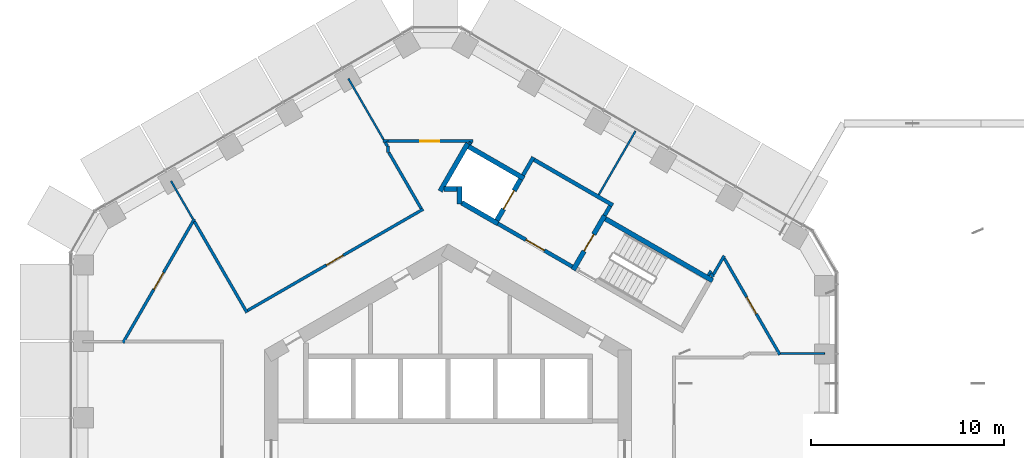
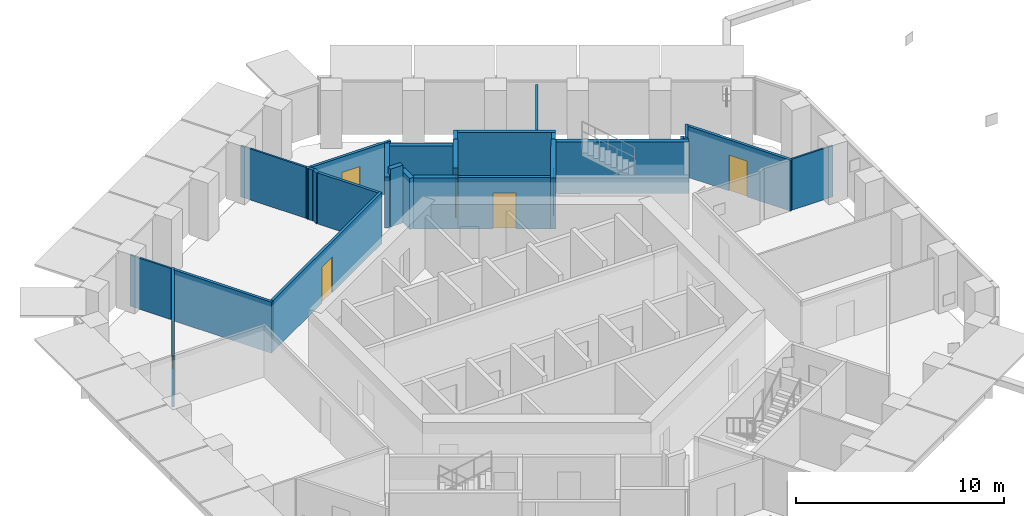
# One storey, part 15 of 21: 29 walls, 7 doors, 7 openings.
"""IFC4 building model written with IfcOpenShell, lengths in metres."""

from ifc_helpers import new_model, si_unit, direction, frame, frame_2d, origin, place, context, subcontext, project, spatial, rectangle, extrude, material, layer, layer_set, type_object, element, fill, save


model = new_model("IFC4")

# Units and contexts
model_context = context("Model", 3, precision=1e-05, world=origin(), true_north=direction((0.0, 1.0)))
body_context = subcontext(model_context, "Body", "Model", "MODEL_VIEW")
ifc_project = project(units=[si_unit("LENGTHUNIT", "METRE"), si_unit("AREAUNIT", "SQUARE_METRE"), si_unit("VOLUMEUNIT", "CUBIC_METRE"), si_unit("PLANEANGLEUNIT", "RADIAN"), si_unit("MASSUNIT", "GRAM", prefix="KILO")], contexts=[model_context])

# Site, building, storey
site_placement = place(None, origin())
site = spatial("IfcSite", under=ifc_project, at=site_placement, CompositionType="ELEMENT")
building_placement = place(site_placement, origin())
building = spatial("IfcBuilding", under=site, at=building_placement, Name="Ayvan Gate Tower", CompositionType="ELEMENT")
storey_placement = place(building_placement, frame((0.0, 0.0, 117.10009765625)))
storey = spatial("IfcBuildingStorey", under=building, at=storey_placement, Name="L31", CompositionType="ELEMENT", Elevation=117.10009765625)

# Wall, opening, door
ifc_material_1 = material(Name="Plasterboard on steel stud", Category="steel")
ifc_layer_1 = layer(ifc_material_1, 0.14990234375)
ifc_layer_set_1 = layer_set([ifc_layer_1], Name="Plasterboard on steel stud")
wall_type_1 = type_object("IfcWallType", Name="WT-CORR-150", PredefinedType="PARTITIONING", material=ifc_layer_set_1)
wall_1_placement = place(storey_placement, frame((-16.8212890625, 5.851318359375, 0.0), z_axis=(0.0, 0.0, 1.0), x_axis=(0.500000483486, 0.866025124644, 0.0)))
wall_1 = element("IfcWall", 1, at=wall_1_placement, inside=storey, type_object=wall_type_1, Name="IW-L31-001", PredefinedType="PARTITIONING", context=body_context, shape_type="SweptSolid", body=[
    extrude(rectangle(XDim=7.3984375, YDim=0.14990234375, at=frame_2d((3.69921875, 0.0))), origin(), (0.0, 0.0, 1.0), 3.0),
])
opening_1_placement = place(wall_1_placement, frame((3.19921875, 0.0, 0.0)))
opening_1 = element("IfcOpeningElement", 2, at=opening_1_placement, cuts=wall_1, Name="Opening L31-D21", PredefinedType="OPENING", context=body_context, shape_type="SweptSolid", body=[
    extrude(rectangle(XDim=1.0, YDim=2.10009765625, at=frame_2d((0.5, 1.050048828125))), frame((0.0, 0.0849609375, 0.0), z_axis=(0.0, -1.0, 0.0), x_axis=(1.0, 0.0, 0.0)), (0.0, 0.0, 1.0), 0.169921875),
])
ifc_material_2 = material(Name="Timber door leaf", Category="wood")
door_type_1 = type_object("IfcDoorType", Name="DT-1000", OperationType="NOTDEFINED", PredefinedType="DOOR", material=ifc_material_2)
door_1_placement = place(opening_1_placement, origin())
door_1 = element("IfcDoor", 3, at=door_1_placement, inside=storey, type_object=door_type_1, Name="ID-L31-021", OperationType="SINGLE_SWING_RIGHT", OverallHeight=2.10009765625, OverallWidth=1.0, PredefinedType="DOOR", context=body_context, shape_type="SweptSolid", body=[
    extrude(rectangle(XDim=1.0, YDim=2.10009765625, at=frame_2d((0.5, 1.050048828125))), frame((0.0, 0.02490234375, 0.0), z_axis=(0.0, -1.0, 0.0), x_axis=(1.0, 0.0, 0.0)), (0.0, 0.0, 1.0), 0.050048828125),
])
fill(opening_1, door_1)

# Wall
wall_2_placement = place(storey_placement, frame((-13.1220703125, 12.128662109375, 0.0), z_axis=(0.0, 0.0, 1.0), x_axis=(0.500015120401, -0.866016673841, 0.0)))
element("IfcWall", 4, at=wall_2_placement, inside=storey, type_object=wall_type_1, Name="IW-L31-009", PredefinedType="PARTITIONING", context=body_context, shape_type="SweptSolid", body=[
    extrude(rectangle(XDim=5.439697265625, YDim=0.14990234375, at=frame_2d((2.7197265625, 0.0))), origin(), (0.0, 0.0, 1.0), 3.0),
])

# Wall, opening, door
wall_3_placement = place(storey_placement, frame((-10.37451171875, 7.520263671875, 0.0), z_axis=(0.0, 0.0, 1.0), x_axis=(0.866027982206, 0.499995534017, 0.0)))
wall_3 = element("IfcWall", 5, at=wall_3_placement, inside=storey, type_object=wall_type_1, Name="IW-L31-013", PredefinedType="PARTITIONING", context=body_context, shape_type="SweptSolid", body=[
    extrude(rectangle(XDim=10.4990234375, YDim=0.14990234375, at=frame_2d((5.24951171875, 0.0))), origin(), (0.0, 0.0, 1.0), 3.0),
])
opening_2_placement = place(wall_3_placement, frame((4.712158203125, 0.0, 0.0)))
opening_2 = element("IfcOpeningElement", 6, at=opening_2_placement, cuts=wall_3, Name="Opening L31-D29", PredefinedType="OPENING", context=body_context, shape_type="SweptSolid", body=[
    extrude(rectangle(XDim=1.0, YDim=2.10009765625, at=frame_2d((0.5, 1.050048828125))), frame((0.0, 0.0849609375, 0.0), z_axis=(0.0, -1.0, 0.0), x_axis=(1.0, 0.0, 0.0)), (0.0, 0.0, 1.0), 0.169921875),
])
door_2_placement = place(opening_2_placement, origin())
door_2 = element("IfcDoor", 7, at=door_2_placement, inside=storey, type_object=door_type_1, Name="ID-L31-029", OperationType="SINGLE_SWING_RIGHT", OverallHeight=2.10009765625, OverallWidth=1.0, PredefinedType="DOOR", context=body_context, shape_type="SweptSolid", body=[
    extrude(rectangle(XDim=1.0, YDim=2.10009765625, at=frame_2d((0.5, 1.050048828125))), frame((0.0, 0.02490234375, 0.0), z_axis=(0.0, -1.0, 0.0), x_axis=(1.0, 0.0, 0.0)), (0.0, 0.0, 1.0), 0.050048828125),
])
fill(opening_2, door_2)

# Walls
wall_4_placement = place(storey_placement, frame((-3.362548828125, 16.293212890625, 0.0), z_axis=(0.0, 0.0, 1.0), x_axis=(1.0, 0.0, 0.0)))
element("IfcWall", 8, at=wall_4_placement, inside=storey, type_object=wall_type_1, Name="IW-L31-035", PredefinedType="PARTITIONING", context=body_context, shape_type="SweptSolid", body=[
    extrude(rectangle(XDim=0.262451171875, YDim=0.14990234375, at=frame_2d((0.13134765625, 0.0))), origin(), (0.0, 0.0, 1.0), 3.0),
])
wall_5_placement = place(storey_placement, frame((-3.10009765625, 15.693603515625, 0.0), z_axis=(0.0, 0.0, 1.0), x_axis=(0.0, 1.0, 0.0)))
element("IfcWall", 9, at=wall_5_placement, inside=storey, type_object=wall_type_1, Name="IW-L31-036", PredefinedType="PARTITIONING", context=body_context, shape_type="SweptSolid", body=[
    extrude(rectangle(XDim=0.35009765625, YDim=0.14990234375, at=frame_2d((0.175048828125, 0.0))), origin(), (0.0, 0.0, 1.0), 3.0),
])
wall_6_placement = place(storey_placement, frame((-3.137451171875, 16.033447265625, 0.0), z_axis=(0.0, 0.0, 1.0), x_axis=(-0.500223362819, 0.865896406789, 0.0)))
element("IfcWall", 10, at=wall_6_placement, inside=storey, type_object=wall_type_1, Name="IW-L31-037", PredefinedType="PARTITIONING", context=body_context, shape_type="SweptSolid", body=[
    extrude(rectangle(XDim=0.22509765625, YDim=0.14990234375, at=frame_2d((0.112548828125, 0.0))), origin(), (0.0, 0.0, 1.0), 3.0),
])

# Wall, opening, door
wall_7_placement = place(storey_placement, frame((-3.10009765625, 16.294189453125, 0.0), z_axis=(0.0, 0.0, 1.0), x_axis=(1.0, 0.0, 0.0)))
wall_7 = element("IfcWall", 11, at=wall_7_placement, inside=storey, type_object=wall_type_1, Name="IW-L31-038", PredefinedType="PARTITIONING", context=body_context, shape_type="SweptSolid", body=[
    extrude(rectangle(XDim=4.38427734375, YDim=0.14990234375, at=frame_2d((2.192138671875, 0.0))), origin(), (0.0, 0.0, 1.0), 3.0),
])
opening_3_placement = place(wall_7_placement, frame((1.654541015625, 0.0, 0.0)))
opening_3 = element("IfcOpeningElement", 12, at=opening_3_placement, cuts=wall_7, Name="Opening L31-D20", PredefinedType="OPENING", context=body_context, shape_type="SweptSolid", body=[
    extrude(rectangle(XDim=1.0, YDim=2.10009765625, at=frame_2d((0.5, 1.050048828125))), frame((0.0, 0.0849609375, 0.0), z_axis=(0.0, -1.0, 0.0), x_axis=(1.0, 0.0, 0.0)), (0.0, 0.0, 1.0), 0.169921875),
])
door_3_placement = place(opening_3_placement, origin())
door_3 = element("IfcDoor", 13, at=door_3_placement, inside=storey, type_object=door_type_1, Name="ID-L31-020", OperationType="SINGLE_SWING_LEFT", OverallHeight=2.10009765625, OverallWidth=1.0, PredefinedType="DOOR", context=body_context, shape_type="SweptSolid", body=[
    extrude(rectangle(XDim=1.0, YDim=2.10009765625, at=frame_2d((0.5, 1.050048828125))), frame((0.0, 0.02490234375, 0.0), z_axis=(0.0, -1.0, 0.0), x_axis=(1.0, 0.0, 0.0)), (0.0, 0.0, 1.0), 0.050048828125),
])
fill(opening_3, door_3)

# Walls
wall_8_placement = place(storey_placement, frame((-1.384521484375, 12.797119140625, 0.0), z_axis=(0.0, 0.0, 1.0), x_axis=(-0.499980633826, 0.866036584562, 0.0)))
element("IfcWall", 14, at=wall_8_placement, inside=storey, type_object=wall_type_1, Name="IW-L31-043", PredefinedType="PARTITIONING", context=body_context, shape_type="SweptSolid", body=[
    extrude(rectangle(XDim=3.356201171875, YDim=0.14990234375, at=frame_2d((1.67822265625, 0.0))), origin(), (0.0, 0.0, 1.0), 3.0),
])
wall_9_placement = place(storey_placement, frame((1.171630859375, 16.229248046875, 0.0), z_axis=(0.0, 0.0, 1.0), x_axis=(-0.499539972301, -0.866290838041, 0.0)))
element("IfcWall", 15, at=wall_9_placement, inside=storey, type_object=wall_type_1, Name="IW-L31-055", PredefinedType="PARTITIONING", context=body_context, shape_type="SweptSolid", body=[
    extrude(rectangle(XDim=0.11572265625, YDim=0.14990234375, at=frame_2d((0.057861328125, 0.0))), origin(), (0.0, 0.0, 1.0), 3.0),
])
wall_10_placement = place(storey_placement, frame((13.474609375, 9.3388671875, 0.0), z_axis=(0.0, 0.0, 1.0), x_axis=(0.500262741071, 0.865873657005, 0.0)))
element("IfcWall", 16, at=wall_10_placement, inside=storey, type_object=wall_type_1, Name="IW-L31-091", PredefinedType="PARTITIONING", context=body_context, shape_type="SweptSolid", body=[
    extrude(rectangle(XDim=0.273681640625, YDim=0.14990234375, at=frame_2d((0.13671875, 0.0))), origin(), (0.0, 0.0, 1.0), 3.0),
])
wall_11_placement = place(storey_placement, frame((13.611572265625, 9.446044921875, 0.0), z_axis=(0.0, 0.0, 1.0), x_axis=(0.500119048086, -0.865956660429, 0.0)))
element("IfcWall", 17, at=wall_11_placement, inside=storey, type_object=wall_type_1, Name="IW-L31-092", PredefinedType="PARTITIONING", context=body_context, shape_type="SweptSolid", body=[
    extrude(rectangle(XDim=0.23095703125, YDim=0.14990234375, at=frame_2d((0.115478515625, 0.0))), origin(), (0.0, 0.0, 1.0), 3.0),
])
wall_12_placement = place(storey_placement, frame((13.72705078125, 9.3759765625, 0.0), z_axis=(0.0, 0.0, 1.0), x_axis=(0.500051640322, 0.865995587178, 0.0)))
element("IfcWall", 18, at=wall_12_placement, inside=storey, type_object=wall_type_1, Name="IW-L31-094", PredefinedType="PARTITIONING", context=body_context, shape_type="SweptSolid", body=[
    extrude(rectangle(XDim=1.13427734375, YDim=0.14990234375, at=frame_2d((0.567138671875, 0.0))), origin(), (0.0, 0.0, 1.0), 3.0),
])

# Wall, opening, door
wall_13_placement = place(storey_placement, frame((14.294189453125, 10.228271484375, 0.0), z_axis=(0.0, 0.0, 1.0), x_axis=(0.499996112969, -0.866027647951, 0.0)))
wall_13 = element("IfcWall", 19, at=wall_13_placement, inside=storey, type_object=wall_type_1, Name="IW-L31-095", PredefinedType="PARTITIONING", context=body_context, shape_type="SweptSolid", body=[
    extrude(rectangle(XDim=5.76611328125, YDim=0.14990234375, at=frame_2d((2.883056640625, 0.0))), origin(), (0.0, 0.0, 1.0), 3.0),
])
opening_4_placement = place(wall_13_placement, frame((2.328369140625, 0.0, 0.0)))
opening_4 = element("IfcOpeningElement", 20, at=opening_4_placement, cuts=wall_13, Name="Opening L31-D19", PredefinedType="OPENING", context=body_context, shape_type="SweptSolid", body=[
    extrude(rectangle(XDim=1.0, YDim=2.10009765625, at=frame_2d((0.5, 1.050048828125))), frame((0.0, 0.0849609375, 0.0), z_axis=(0.0, -1.0, 0.0), x_axis=(1.0, 0.0, 0.0)), (0.0, 0.0, 1.0), 0.169921875),
])
door_4_placement = place(opening_4_placement, origin())
door_4 = element("IfcDoor", 21, at=door_4_placement, inside=storey, type_object=door_type_1, Name="ID-L31-019", OperationType="SINGLE_SWING_RIGHT", OverallHeight=2.10009765625, OverallWidth=1.0, PredefinedType="DOOR", context=body_context, shape_type="SweptSolid", body=[
    extrude(rectangle(XDim=1.0, YDim=2.10009765625, at=frame_2d((0.5, 1.050048828125))), frame((0.0, 0.02490234375, 0.0), z_axis=(0.0, -1.0, 0.0), x_axis=(1.0, 0.0, 0.0)), (0.0, 0.0, 1.0), 0.050048828125),
])
fill(opening_4, door_4)

# Walls
ifc_layer_2 = layer(ifc_material_1, 0.10009765625)
ifc_layer_set_2 = layer_set([ifc_layer_2], Name="Plasterboard on steel stud")
wall_type_2 = type_object("IfcWallType", Name="WT-PART-100", PredefinedType="PARTITIONING", material=ifc_layer_set_2)
wall_14_placement = place(storey_placement, frame((-14.33251953125, 14.22509765625, 0.0), z_axis=(0.0, 0.0, 1.0), x_axis=(0.500035767157, -0.866004752622, 0.0)))
element("IfcWall", 22, at=wall_14_placement, inside=storey, type_object=wall_type_2, Name="IW-L31-004", PredefinedType="PARTITIONING", context=body_context, shape_type="SweptSolid", body=[
    extrude(rectangle(XDim=2.270751953125, YDim=0.10009765625, at=frame_2d((1.13525390625, 0.0))), origin(), (0.0, 0.0, 1.0), 3.0),
])
wall_15_placement = place(storey_placement, frame((-3.324951171875, 16.358154296875, 0.0), z_axis=(0.0, 0.0, 1.0), x_axis=(-0.500009496996, 0.866019920622, 0.0)))
element("IfcWall", 23, at=wall_15_placement, inside=storey, type_object=wall_type_2, Name="IW-L31-034", PredefinedType="PARTITIONING", context=body_context, shape_type="SweptSolid", body=[
    extrude(rectangle(XDim=3.65673828125, YDim=0.10009765625, at=frame_2d((1.828369140625, 0.0))), origin(), (0.0, 0.0, 1.0), 3.0),
])
wall_16_placement = place(storey_placement, frame((7.800048828125, 13.510009765625, 0.0), z_axis=(0.0, 0.0, 1.0), x_axis=(0.499988487492, 0.866032050432, 0.0)))
element("IfcWall", 24, at=wall_16_placement, inside=storey, type_object=wall_type_2, Name="IW-L31-080", PredefinedType="PARTITIONING", context=body_context, shape_type="SweptSolid", body=[
    extrude(rectangle(XDim=3.81298828125, YDim=0.10009765625, at=frame_2d((1.906494140625, 0.0))), origin(), (0.0, 0.0, 1.0), 3.0),
])
wall_17_placement = place(storey_placement, frame((17.214599609375, 5.299560546875, 0.0), z_axis=(0.0, 0.0, 1.0), x_axis=(1.0, 0.0, 0.0)))
element("IfcWall", 25, at=wall_17_placement, inside=storey, type_object=wall_type_2, Name="IW-L31-099", PredefinedType="PARTITIONING", context=body_context, shape_type="SweptSolid", body=[
    extrude(rectangle(XDim=2.27099609375, YDim=0.10009765625, at=frame_2d((1.135498046875, 0.0))), origin(), (0.0, 0.0, 1.0), 3.0),
])
ifc_layer_3 = layer(ifc_material_1, 0.199951171875)
ifc_layer_set_3 = layer_set([ifc_layer_3], Name="Plasterboard on steel stud")
wall_type_3 = type_object("IfcWallType", Name="WT-RATED-200", PredefinedType="PARTITIONING", material=ifc_layer_set_3)
wall_18_placement = place(storey_placement, frame((3.885009765625, 14.52880859375, 0.0), z_axis=(0.0, 0.0, 1.0), x_axis=(0.499997628298, 0.866026773083, 0.0)))
element("IfcWall", 26, at=wall_18_placement, inside=storey, type_object=wall_type_3, Name="IW-L31-067", PredefinedType="PARTITIONING", context=body_context, shape_type="SweptSolid", body=[
    extrude(rectangle(XDim=1.0751953125, YDim=0.199951171875, at=frame_2d((0.53759765625, 0.0))), origin(), (0.0, 0.0, 1.0), 3.0),
])
wall_19_placement = place(storey_placement, frame((4.458984375, 15.323486328125, 0.0), z_axis=(0.0, 0.0, 1.0), x_axis=(0.866016039709, -0.500016218704, 0.0)))
element("IfcWall", 27, at=wall_19_placement, inside=storey, type_object=wall_type_3, Name="IW-L31-068", PredefinedType="PARTITIONING", context=body_context, shape_type="SweptSolid", body=[
    extrude(rectangle(XDim=4.699951171875, YDim=0.199951171875, at=frame_2d((2.35009765625, 0.0))), origin(), (0.0, 0.0, 1.0), 3.0),
])

# Wall, opening, door
wall_20_placement = place(storey_placement, frame((6.4345703125, 9.794921875, 0.0), z_axis=(0.0, 0.0, 1.0), x_axis=(-0.866012907634, 0.500021643343, 0.0)))
wall_20 = element("IfcWall", 28, at=wall_20_placement, inside=storey, type_object=wall_type_3, Name="IW-L31-071", PredefinedType="PARTITIONING", context=body_context, shape_type="SweptSolid", body=[
    extrude(rectangle(XDim=4.449951171875, YDim=0.199951171875, at=frame_2d((2.22509765625, 0.0))), origin(), (0.0, 0.0, 1.0), 3.0),
])
opening_5_placement = place(wall_20_placement, frame((1.675048828125, 0.0, 0.0)))
opening_5 = element("IfcOpeningElement", 29, at=opening_5_placement, cuts=wall_20, Name="Opening L31-D08", PredefinedType="OPENING", context=body_context, shape_type="SweptSolid", body=[
    extrude(rectangle(XDim=1.10009765625, YDim=2.10009765625, at=frame_2d((0.550048828125, 1.050048828125))), frame((0.0, 0.10986328125, 0.0), z_axis=(0.0, -1.0, 0.0), x_axis=(1.0, 0.0, 0.0)), (0.0, 0.0, 1.0), 0.219970703125),
])
door_type_2 = type_object("IfcDoorType", Name="DT-1100", OperationType="NOTDEFINED", PredefinedType="DOOR", material=ifc_material_2)
door_5_placement = place(opening_5_placement, origin())
door_5 = element("IfcDoor", 30, at=door_5_placement, inside=storey, type_object=door_type_2, Name="ID-L31-008", OperationType="SINGLE_SWING_LEFT", OverallHeight=2.10009765625, OverallWidth=1.10009765625, PredefinedType="DOOR", context=body_context, shape_type="SweptSolid", body=[
    extrude(rectangle(XDim=1.10009765625, YDim=2.10009765625, at=frame_2d((0.550048828125, 1.050048828125))), frame((0.0, 0.02490234375, 0.0), z_axis=(0.0, -1.0, 0.0), x_axis=(1.0, 0.0, 0.0)), (0.0, 0.0, 1.0), 0.050048828125),
])
fill(opening_5, door_5)

# Walls
wall_21_placement = place(storey_placement, frame((8.392822265625, 12.936767578125, 0.0), z_axis=(0.0, 0.0, 1.0), x_axis=(-0.500065409566, -0.86598763626, 0.0)))
element("IfcWall", 31, at=wall_21_placement, inside=storey, type_object=wall_type_3, Name="IW-L31-082", PredefinedType="PARTITIONING", context=body_context, shape_type="SweptSolid", body=[
    extrude(rectangle(XDim=0.5751953125, YDim=0.199951171875, at=frame_2d((0.28759765625, 0.0))), origin(), (0.0, 0.0, 1.0), 3.0),
])
ifc_material_3 = material(Name="Concrete C50/60", Category="concrete")
ifc_layer_4 = layer(ifc_material_3, 0.25)
ifc_layer_set_4 = layer_set([ifc_layer_4], Name="Concrete C50/60")
wall_type_4 = type_object("IfcWallType", Name="WT-RC-250", PredefinedType="SHEAR", material=ifc_layer_set_4)
wall_22_placement = place(storey_placement, frame((-0.403076171875, 13.70166015625, 0.0), z_axis=(0.0, 0.0, 1.0), x_axis=(0.499976111731, 0.866039195244, 0.0)))
element("IfcWall", 32, at=wall_22_placement, inside=storey, type_object=wall_type_4, Name="IW-L31-049", PredefinedType="SHEAR", context=body_context, shape_type="SweptSolid", body=[
    extrude(rectangle(XDim=2.860595703125, YDim=0.25, at=frame_2d((1.43017578125, 0.0))), origin(), (0.0, 0.0, 1.0), 3.0),
])
wall_23_placement = place(storey_placement, frame((0.60009765625, 13.03857421875, 0.0), z_axis=(0.0, 0.0, 1.0), x_axis=(0.0, 1.0, 0.0)))
element("IfcWall", 33, at=wall_23_placement, inside=storey, type_object=wall_type_4, Name="IW-L31-052", PredefinedType="SHEAR", context=body_context, shape_type="SweptSolid", body=[
    extrude(rectangle(XDim=0.896484375, YDim=0.25, at=frame_2d((0.4482421875, 0.0))), origin(), (0.0, 0.0, 1.0), 3.0),
])
wall_24_placement = place(storey_placement, frame((0.47509765625, 13.81005859375, 0.0), z_axis=(0.0, 0.0, 1.0), x_axis=(-1.0, 0.0, 0.0)))
element("IfcWall", 34, at=wall_24_placement, inside=storey, type_object=wall_type_4, Name="IW-L31-053", PredefinedType="SHEAR", context=body_context, shape_type="SweptSolid", body=[
    extrude(rectangle(XDim=0.690673828125, YDim=0.25, at=frame_2d((0.34521484375, 0.0))), origin(), (0.0, 0.0, 1.0), 3.39990234375),
])
wall_25_placement = place(storey_placement, frame((1.072998046875, 16.00830078125, 0.0), z_axis=(0.0, 0.0, 1.0), x_axis=(0.866040211805, -0.499974350878, 0.0)))
element("IfcWall", 35, at=wall_25_placement, inside=storey, type_object=wall_type_4, Name="IW-L31-054", PredefinedType="SHEAR", context=body_context, shape_type="SweptSolid", body=[
    extrude(rectangle(XDim=3.300048828125, YDim=0.25, at=frame_2d((1.64990234375, 0.0))), origin(), (0.0, 0.0, 1.0), 3.0),
])
wall_26_placement = place(storey_placement, frame((2.580810546875, 12.02001953125, 0.0), z_axis=(0.0, 0.0, 1.0), x_axis=(-0.86603892542, 0.499976579108, 0.0)))
element("IfcWall", 36, at=wall_26_placement, inside=storey, type_object=wall_type_4, Name="IW-L31-060", PredefinedType="SHEAR", context=body_context, shape_type="SweptSolid", body=[
    extrude(rectangle(XDim=2.162109375, YDim=0.25, at=frame_2d((1.0810546875, 0.0))), origin(), (0.0, 0.0, 1.0), 3.0),
])

# Wall, opening, door
wall_27_placement = place(storey_placement, frame((2.534912109375, 12.19091796875, 0.0), z_axis=(0.0, 0.0, 1.0), x_axis=(0.500061746146, 0.865989751695, 0.0)))
wall_27 = element("IfcWall", 37, at=wall_27_placement, inside=storey, type_object=wall_type_4, Name="IW-L31-061", PredefinedType="SHEAR", context=body_context, shape_type="SweptSolid", body=[
    extrude(rectangle(XDim=2.449951171875, YDim=0.25, at=frame_2d((1.22509765625, 0.0))), origin(), (0.0, 0.0, 1.0), 3.39990234375),
])
opening_6_placement = place(wall_27_placement, frame((0.675048828125, 0.0, 0.0)))
opening_6 = element("IfcOpeningElement", 38, at=opening_6_placement, cuts=wall_27, Name="Opening L31-LD-FF1", PredefinedType="OPENING", context=body_context, shape_type="SweptSolid", body=[
    extrude(rectangle(XDim=1.10009765625, YDim=2.10009765625, at=frame_2d((0.550048828125, 1.050048828125))), frame((0.0, 0.135009765625, 0.0), z_axis=(0.0, -1.0, 0.0), x_axis=(1.0, 0.0, 0.0)), (0.0, 0.0, 1.0), 0.27001953125),
])
ifc_material_4 = material(Name="Stainless steel landing door", Category="steel")
door_type_3 = type_object("IfcDoorType", Name="DT-LANDING-1100", OperationType="SLIDING_TO_LEFT", PredefinedType="DOOR", material=ifc_material_4)
door_6_placement = place(opening_6_placement, origin())
door_6 = element("IfcDoor", 39, at=door_6_placement, inside=storey, type_object=door_type_3, Name="ID-L31-009", OperationType="SLIDING_TO_LEFT", OverallHeight=2.10009765625, OverallWidth=1.10009765625, PredefinedType="DOOR", context=body_context, shape_type="SweptSolid", body=[
    extrude(rectangle(XDim=1.10009765625, YDim=2.10009765625, at=frame_2d((0.550048828125, 1.050048828125))), frame((0.0, 0.02490234375, 0.0), z_axis=(0.0, -1.0, 0.0), x_axis=(1.0, 0.0, 0.0)), (0.0, 0.0, 1.0), 0.050048828125),
])
fill(opening_6, door_6)

wall_28_placement = place(storey_placement, frame((6.480224609375, 9.624267578125, 0.0), z_axis=(0.0, 0.0, 1.0), x_axis=(0.500017246033, 0.866015446554, 0.0)))
wall_28 = element("IfcWall", 40, at=wall_28_placement, inside=storey, type_object=wall_type_4, Name="IW-L31-072", PredefinedType="SHEAR", context=body_context, shape_type="SweptSolid", body=[
    extrude(rectangle(XDim=3.25, YDim=0.25, at=frame_2d((1.625, 0.0))), origin(), (0.0, 0.0, 1.0), 3.0),
])
opening_7_placement = place(wall_28_placement, frame((1.125, 0.0, 0.0)))
opening_7 = element("IfcOpeningElement", 41, at=opening_7_placement, cuts=wall_28, Name="Opening L31-D07", PredefinedType="OPENING", context=body_context, shape_type="SweptSolid", body=[
    extrude(rectangle(XDim=1.0, YDim=2.10009765625, at=frame_2d((0.5, 1.050048828125))), frame((0.0, 0.135009765625, 0.0), z_axis=(0.0, -1.0, 0.0), x_axis=(1.0, 0.0, 0.0)), (0.0, 0.0, 1.0), 0.27001953125),
])
door_7_placement = place(opening_7_placement, origin())
door_7 = element("IfcDoor", 42, at=door_7_placement, inside=storey, type_object=door_type_1, Name="ID-L31-007", OperationType="SINGLE_SWING_RIGHT", OverallHeight=2.10009765625, OverallWidth=1.0, PredefinedType="DOOR", context=body_context, shape_type="SweptSolid", body=[
    extrude(rectangle(XDim=1.0, YDim=2.10009765625, at=frame_2d((0.5, 1.050048828125))), frame((0.0, 0.02490234375, 0.0), z_axis=(0.0, -1.0, 0.0), x_axis=(1.0, 0.0, 0.0)), (0.0, 0.0, 1.0), 0.050048828125),
])
fill(opening_7, door_7)

# Wall
wall_29_placement = place(storey_placement, frame((8.151123046875, 12.26806640625, 0.0), z_axis=(0.0, 0.0, 1.0), x_axis=(0.866025499775, -0.499999833739, 0.0)))
element("IfcWall", 43, at=wall_29_placement, inside=storey, type_object=wall_type_4, Name="IW-L31-081", PredefinedType="SHEAR", context=body_context, shape_type="SweptSolid", body=[
    extrude(rectangle(XDim=6.39990234375, YDim=0.25, at=frame_2d((3.199951171875, 0.0))), origin(), (0.0, 0.0, 1.0), 3.0),
])

save(model, "model.ifc")
